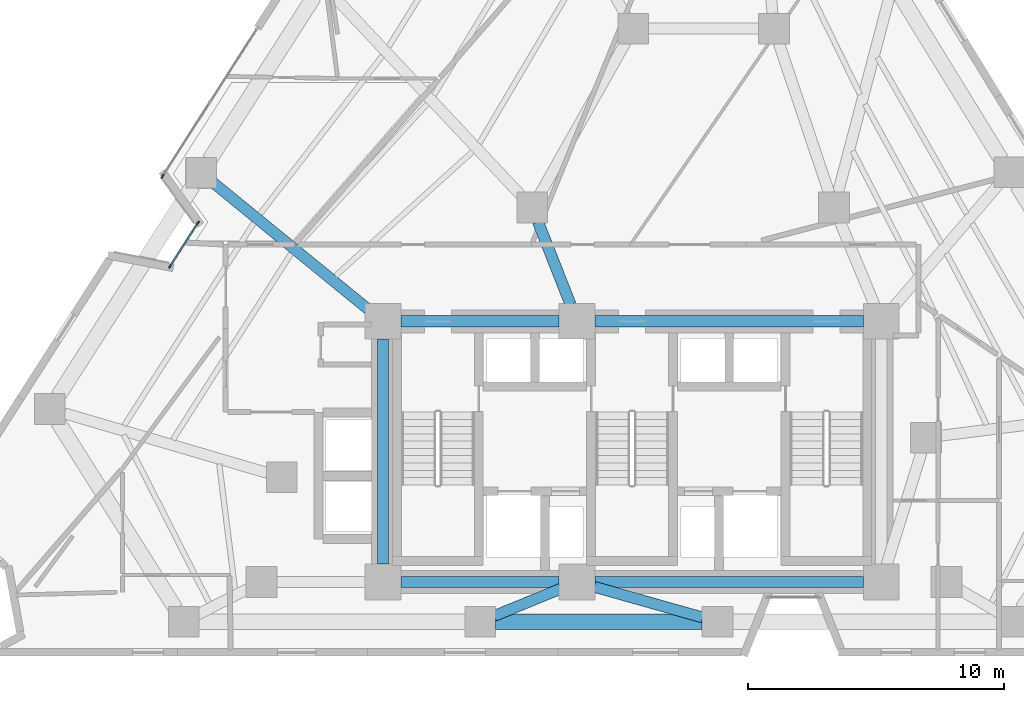
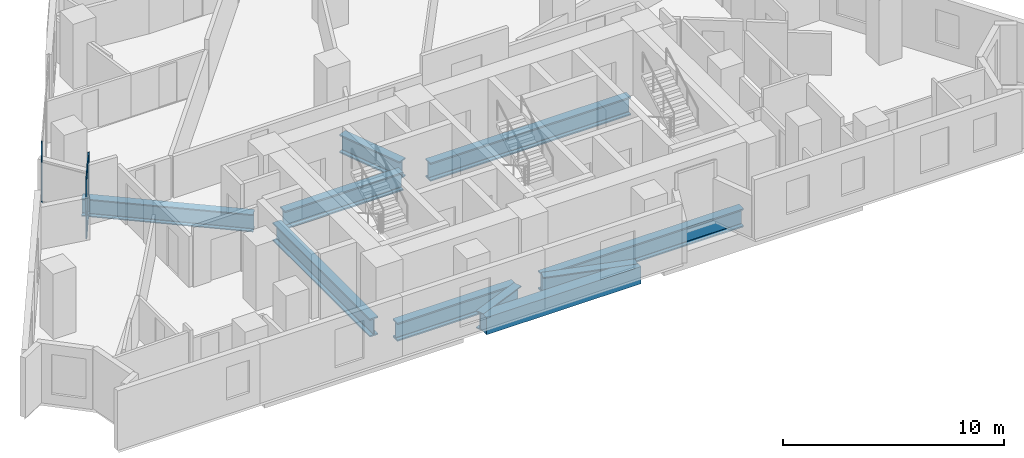
# One storey, part 2 of 13: 10 beams, 5 members, 2 elements without a shape of their own.
"""IFC4 building model written with IfcOpenShell, lengths in metres."""

from ifc_helpers import new_model, si_unit, direction, frame, origin, origin_2d, place, context, subcontext, project, spatial, rectangle, i_section, extrude, material, layer, layer_set, material_profile, profile_set, type_object, element, aggregate, save


model = new_model("IFC4")

# Units and contexts
model_context = context("Model", 3, precision=1e-05, world=origin(), true_north=direction((0.0, 1.0)))
body_context = subcontext(model_context, "Body", "Model", "MODEL_VIEW")
ifc_project = project(units=[si_unit("LENGTHUNIT", "METRE"), si_unit("AREAUNIT", "SQUARE_METRE"), si_unit("VOLUMEUNIT", "CUBIC_METRE"), si_unit("PLANEANGLEUNIT", "RADIAN"), si_unit("MASSUNIT", "GRAM", prefix="KILO")], contexts=[model_context])

# Site, building, storey
site_placement = place(None, origin())
site = spatial("IfcSite", under=ifc_project, at=site_placement, CompositionType="ELEMENT")
building_placement = place(site_placement, origin())
building = spatial("IfcBuilding", under=site, at=building_placement, Name="Almagre Mirador Tower", CompositionType="ELEMENT")
storey_placement = place(building_placement, frame((0.0, 0.0, 96.60009765625)))
storey = spatial("IfcBuildingStorey", under=building, at=storey_placement, Name="L24", CompositionType="ELEMENT", Elevation=96.60009765625)

# Beams
ifc_material_1 = material(Name="Precast concrete C50/60", Category="concrete")
ifc_material_profile_1 = material_profile(ifc_material_1, rectangle(XDim=0.60009765625, YDim=0.949951171875, at=origin_2d()), Name="RC600X950")
ifc_profile_set_1 = profile_set([ifc_material_profile_1], Name="Precast concrete C50/60")
beam_type_1 = type_object("IfcBeamType", Name="BM-SPN-RC600X950", PredefinedType="SPANDREL", material=ifc_profile_set_1)
beam_1_placement = place(storey_placement, frame((31.9599609375, 3.0, -0.72509765625), z_axis=(1.0, 0.0, 0.0), x_axis=(0.0, 1.0, 0.0)))
element("IfcBeam", 1, at=beam_1_placement, inside=storey, type_object=beam_type_1, Name="L24 perimeter spandrel beam PC02-PC03", PredefinedType="SPANDREL", context=body_context, shape_type="SweptSolid", body=[
    extrude(rectangle(XDim=0.60009765625, YDim=0.949951171875, at=origin_2d()), origin(), (0.0, 0.0, 1.0), 8.080078125),
])
ifc_material_2 = material(Name="Steel ASTM A992 Grade 50", Category="steel")
ifc_material_profile_2 = material_profile(ifc_material_2, i_section(OverallWidth=0.427978515625, OverallDepth=0.97509765625, WebThickness=0.031005859375, FlangeThickness=0.055908203125, FilletRadius=0.028076171875, at=origin_2d()), Name="W36X395")
ifc_profile_set_2 = profile_set([ifc_material_profile_2], Name="Steel ASTM A992 Grade 50")
beam_type_2 = type_object("IfcBeamType", Name="BM-STL-W36X395", PredefinedType="BEAM", material=ifc_profile_set_2)
beam_2_placement = place(storey_placement, frame((31.915283203125, 3.22705078125, -0.737548828125), z_axis=(0.925599823227, 0.378503589472, 0.0), x_axis=(-0.378503589472, 0.925599823227, 0.0)))
element("IfcBeam", 2, at=beam_2_placement, inside=storey, type_object=beam_type_2, Name="L24 radial floor girder PC02-CC2", PredefinedType="BEAM", context=body_context, shape_type="SweptSolid", body=[
    extrude(i_section(OverallWidth=0.427978515625, OverallDepth=0.97509765625, WebThickness=0.031005859375, FlangeThickness=0.055908203125, FilletRadius=0.028076171875, at=origin_2d()), origin(), (0.0, 0.0, 1.0), 2.794921875),
])
beam_3_placement = place(storey_placement, frame((40.0625, 3.1630859375, -0.737548828125), z_axis=(-0.962376859891, 0.271718198778, 0.0), x_axis=(-0.271718198778, -0.962376859891, 0.0)))
element("IfcBeam", 3, at=beam_3_placement, inside=storey, type_object=beam_type_2, Name="L24 radial floor girder PC03-CC2", PredefinedType="BEAM", context=body_context, shape_type="SweptSolid", body=[
    extrude(i_section(OverallWidth=0.427978515625, OverallDepth=0.97509765625, WebThickness=0.031005859375, FlangeThickness=0.055908203125, FilletRadius=0.028076171875, at=origin_2d()), origin(), (0.0, 0.0, 1.0), 4.404541015625),
])
beam_4_placement = place(storey_placement, frame((20.90673828125, 20.177490234375, -0.737548828125), z_axis=(0.774403065798, -0.632692572805, 0.0), x_axis=(0.632692572805, 0.774403065798, 0.0)))
element("IfcBeam", 4, at=beam_4_placement, inside=storey, type_object=beam_type_2, Name="L24 radial floor girder PC11-CC4", PredefinedType="BEAM", context=body_context, shape_type="SweptSolid", body=[
    extrude(i_section(OverallWidth=0.427978515625, OverallDepth=0.97509765625, WebThickness=0.031005859375, FlangeThickness=0.055908203125, FilletRadius=0.028076171875, at=origin_2d()), origin(), (0.0, 0.0, 1.0), 7.87841796875),
])
ifc_material_3 = material(Name="Steel ASTM A992 Grade 50", Category="steel")
ifc_material_profile_3 = material_profile(ifc_material_3, i_section(OverallWidth=0.43701171875, OverallDepth=1.010986328125, WebThickness=0.041015625, FlangeThickness=0.073974609375, FilletRadius=0.028076171875, at=origin_2d()), Name="W36X529")
ifc_profile_set_3 = profile_set([ifc_material_profile_3], Name="Steel ASTM A992 Grade 50")
beam_type_3 = type_object("IfcBeamType", Name="BM-STL-W36X529", PredefinedType="BEAM", material=ifc_profile_set_3)
beam_5_placement = place(storey_placement, frame((28.25, 4.550048828125, -0.755615234375), z_axis=(1.0, 0.0, 0.0), x_axis=(0.0, 1.0, 0.0)))
element("IfcBeam", 5, at=beam_5_placement, inside=storey, type_object=beam_type_3, Name="L24 core tie girder CC1-CC2", PredefinedType="BEAM", context=body_context, shape_type="SweptSolid", body=[
    extrude(i_section(OverallWidth=0.43701171875, OverallDepth=1.010986328125, WebThickness=0.041015625, FlangeThickness=0.073974609375, FilletRadius=0.028076171875, at=origin_2d()), origin(), (0.0, 0.0, 1.0), 6.199951171875),
])
beam_6_placement = place(storey_placement, frame((35.85009765625, 4.550048828125, -0.755615234375), z_axis=(1.0, 0.0, 0.0), x_axis=(0.0, 1.0, 0.0)))
element("IfcBeam", 6, at=beam_6_placement, inside=storey, type_object=beam_type_3, Name="L24 core tie girder CC2-CC3", PredefinedType="BEAM", context=body_context, shape_type="SweptSolid", body=[
    extrude(i_section(OverallWidth=0.43701171875, OverallDepth=1.010986328125, WebThickness=0.041015625, FlangeThickness=0.073974609375, FilletRadius=0.028076171875, at=origin_2d()), origin(), (0.0, 0.0, 1.0), 10.5),
])
beam_7_placement = place(storey_placement, frame((28.25, 14.75, -0.755615234375), z_axis=(1.0, 0.0, 0.0), x_axis=(0.0, 1.0, 0.0)))
element("IfcBeam", 7, at=beam_7_placement, inside=storey, type_object=beam_type_3, Name="L24 core tie girder CC4-CC5", PredefinedType="BEAM", context=body_context, shape_type="SweptSolid", body=[
    extrude(i_section(OverallWidth=0.43701171875, OverallDepth=1.010986328125, WebThickness=0.041015625, FlangeThickness=0.073974609375, FilletRadius=0.028076171875, at=origin_2d()), origin(), (0.0, 0.0, 1.0), 6.199951171875),
])
beam_8_placement = place(storey_placement, frame((35.85009765625, 14.75, -0.755615234375), z_axis=(1.0, 0.0, 0.0), x_axis=(0.0, 1.0, 0.0)))
element("IfcBeam", 8, at=beam_8_placement, inside=storey, type_object=beam_type_3, Name="L24 core tie girder CC5-CC6", PredefinedType="BEAM", context=body_context, shape_type="SweptSolid", body=[
    extrude(i_section(OverallWidth=0.43701171875, OverallDepth=1.010986328125, WebThickness=0.041015625, FlangeThickness=0.073974609375, FilletRadius=0.028076171875, at=origin_2d()), origin(), (0.0, 0.0, 1.0), 10.5),
])
beam_9_placement = place(storey_placement, frame((27.550048828125, 5.25, -0.755615234375), z_axis=(0.0, 1.0, 0.0), x_axis=(-1.0, 0.0, 0.0)))
element("IfcBeam", 9, at=beam_9_placement, inside=storey, type_object=beam_type_3, Name="L24 core tie girder CC1-CC4", PredefinedType="BEAM", context=body_context, shape_type="SweptSolid", body=[
    extrude(i_section(OverallWidth=0.43701171875, OverallDepth=1.010986328125, WebThickness=0.041015625, FlangeThickness=0.073974609375, FilletRadius=0.028076171875, at=origin_2d()), origin(), (0.0, 0.0, 1.0), 8.800048828125),
])
beam_10_placement = place(storey_placement, frame((33.61962890625, 18.6416015625, -0.755615234375), z_axis=(0.365956076985, -0.93063212373, 0.0), x_axis=(0.93063212373, 0.365956076985, 0.0)))
element("IfcBeam", 10, at=beam_10_placement, inside=storey, type_object=beam_type_3, Name="L24 core tie girder MC8-CC5", PredefinedType="BEAM", context=body_context, shape_type="SweptSolid", body=[
    extrude(i_section(OverallWidth=0.43701171875, OverallDepth=1.010986328125, WebThickness=0.041015625, FlangeThickness=0.073974609375, FilletRadius=0.028076171875, at=origin_2d()), origin(), (0.0, 0.0, 1.0), 3.481689453125),
])

# Curtain wall, members
ifc_material_4 = material(Name="Black anodized aluminium", Category="aluminium")
ifc_layer_1 = layer(ifc_material_4, 0.169921875)
ifc_layer_set_1 = layer_set([ifc_layer_1], Name="Black anodized aluminium")
curtain_wall_type_1 = type_object("IfcCurtainWallType", Name="CW-CRS-SYS", PredefinedType="NOTDEFINED", material=ifc_layer_set_1)
curtain_wall_1_placement = place(storey_placement, origin())
curtain_wall_1 = element("IfcCurtainWall", 11, at=curtain_wall_1_placement, inside=storey, type_object=curtain_wall_type_1, Name="L24 vertical crease curtain wall 01", PredefinedType="NOTDEFINED")
ifc_material_5 = material(Name="Black anodized aluminium", Category="aluminium")
ifc_material_profile_4 = material_profile(ifc_material_5, rectangle(XDim=0.06005859375, YDim=0.14990234375, at=origin_2d()), Name="CWM60X150")
ifc_profile_set_4 = profile_set([ifc_material_profile_4], Name="Black anodized aluminium")
member_type_1 = type_object("IfcMemberType", Name="MBR-CWM60X150", PredefinedType="MULLION", material=ifc_profile_set_4)
member_1_placement = place(storey_placement, frame((19.22412109375, 16.894287109375, 0.0), z_axis=(0.0, 0.0, 1.0), x_axis=(-0.841923718176, 0.539596564827, 0.0)))
member_1 = element("IfcMember", 12, at=member_1_placement, type_object=member_type_1, Name="CW-4 mullion 1", PredefinedType="MULLION", context=body_context, shape_type="SweptSolid", body=[
    extrude(rectangle(XDim=0.06005859375, YDim=0.14990234375, at=origin_2d()), origin(), (0.0, 0.0, 1.0), 3.2998046875),
])
member_2_placement = place(storey_placement, frame((20.31982421875, 18.603759765625, 0.0), z_axis=(0.0, 0.0, 1.0), x_axis=(-0.841923718176, 0.539596564827, 0.0)))
member_2 = element("IfcMember", 13, at=member_2_placement, type_object=member_type_1, Name="CW-4 mullion 2", PredefinedType="MULLION", context=body_context, shape_type="SweptSolid", body=[
    extrude(rectangle(XDim=0.06005859375, YDim=0.14990234375, at=origin_2d()), origin(), (0.0, 0.0, 1.0), 3.2998046875),
])

# Curtain wall, member
ifc_material_6 = material(Name="Black anodized aluminium", Category="aluminium")
ifc_layer_2 = layer(ifc_material_6, 0.18994140625)
ifc_layer_set_2 = layer_set([ifc_layer_2], Name="Black anodized aluminium")
curtain_wall_type_2 = type_object("IfcCurtainWallType", Name="CW-RES-L-SYS", PredefinedType="NOTDEFINED", material=ifc_layer_set_2)
curtain_wall_2_placement = place(storey_placement, origin())
curtain_wall_2 = element("IfcCurtainWall", 14, at=curtain_wall_2_placement, inside=storey, type_object=curtain_wall_type_2, Name="L24 curtain wall run 02", PredefinedType="NOTDEFINED")
ifc_material_7 = material(Name="Black anodized aluminium", Category="aluminium")
ifc_material_profile_5 = material_profile(ifc_material_7, rectangle(XDim=0.06494140625, YDim=0.179931640625, at=origin_2d()), Name="CWM65X180")
ifc_profile_set_5 = profile_set([ifc_material_profile_5], Name="Black anodized aluminium")
member_type_2 = type_object("IfcMemberType", Name="MBR-CWM65X180", PredefinedType="MULLION", material=ifc_profile_set_5)
member_3_placement = place(storey_placement, frame((18.928955078125, 20.41845703125, 0.0), z_axis=(0.0, 0.0, 1.0), x_axis=(-0.842009852454, 0.539462147301, 0.0)))
member_3 = element("IfcMember", 15, at=member_3_placement, type_object=member_type_2, Name="CW-2 mullion 1", PredefinedType="MULLION", context=body_context, shape_type="SweptSolid", body=[
    extrude(rectangle(XDim=0.06494140625, YDim=0.179931640625, at=origin_2d()), origin(), (0.0, 0.0, 1.0), 3.2998046875),
])
aggregate(curtain_wall_2, [member_3])

# Member
ifc_material_8 = material(Name="Black anodized aluminium", Category="aluminium")
ifc_material_profile_6 = material_profile(ifc_material_8, rectangle(XDim=0.06005859375, YDim=0.1298828125, at=origin_2d()), Name="CWT60X130")
ifc_profile_set_6 = profile_set([ifc_material_profile_6], Name="Black anodized aluminium")
member_type_3 = type_object("IfcMemberType", Name="MBR-CWT60X130", PredefinedType="USERDEFINED", material=ifc_profile_set_6)
member_4_placement = place(storey_placement, frame((19.240478515625, 16.91943359375, 0.02978515625), z_axis=(0.539598560897, 0.841922438873, 0.0), x_axis=(-0.841922438873, 0.539598560897, 0.0)))
member_4 = element("IfcMember", 16, at=member_4_placement, type_object=member_type_3, Name="CW-4 transom 1.1", ObjectType="TRANSOM", PredefinedType="USERDEFINED", context=body_context, shape_type="SweptSolid", body=[
    extrude(rectangle(XDim=0.06005859375, YDim=0.1298828125, at=origin_2d()), origin(), (0.0, 0.0, 1.0), 1.970458984375),
])

member_5_placement = place(storey_placement, frame((19.240478515625, 16.91943359375, 3.27001953125), z_axis=(0.539598560897, 0.841922438873, 0.0), x_axis=(-0.841922438873, 0.539598560897, 0.0)))
member_5 = element("IfcMember", 17, at=member_5_placement, type_object=member_type_3, Name="CW-4 transom 1.2", ObjectType="TRANSOM", PredefinedType="USERDEFINED", context=body_context, shape_type="SweptSolid", body=[
    extrude(rectangle(XDim=0.06005859375, YDim=0.1298828125, at=origin_2d()), origin(), (0.0, 0.0, 1.0), 1.970458984375),
])

aggregate(curtain_wall_1, [member_1, member_2, member_4, member_5])

save(model, "model.ifc")
